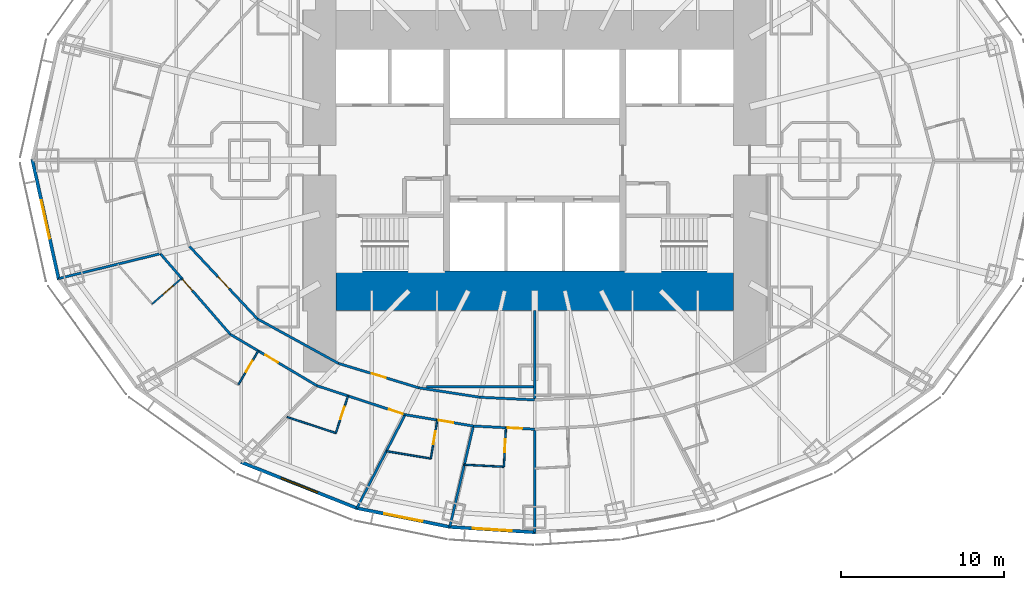
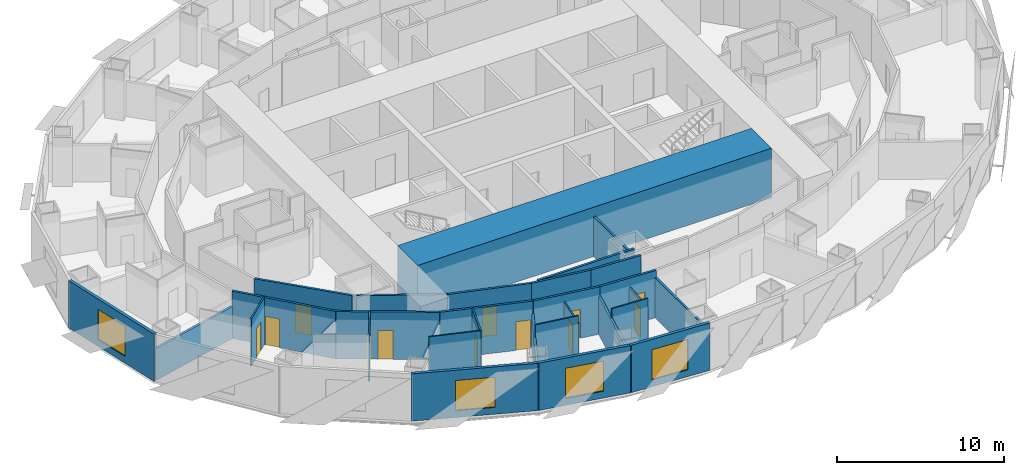
# One storey, part 5 of 15: 29 walls, 12 doors, 4 windows, 16 openings.
"""IFC4 building model written with IfcOpenShell, lengths in metres."""

from ifc_helpers import new_model, si_unit, direction, frame, frame_2d, origin, place, context, subcontext, project, spatial, rectangle, extrude, material, layer, layer_set, type_object, element, fill, save


model = new_model("IFC4")

# Units and contexts
model_context = context("Model", 3, precision=1e-05, world=origin(), true_north=direction((0.0, 1.0)))
body_context = subcontext(model_context, "Body", "Model", "MODEL_VIEW")
ifc_project = project(units=[si_unit("LENGTHUNIT", "METRE"), si_unit("AREAUNIT", "SQUARE_METRE"), si_unit("VOLUMEUNIT", "CUBIC_METRE"), si_unit("PLANEANGLEUNIT", "RADIAN"), si_unit("MASSUNIT", "GRAM", prefix="KILO")], contexts=[model_context])

# Site, building, storey
site_placement = place(None, origin())
site = spatial("IfcSite", under=ifc_project, at=site_placement, CompositionType="ELEMENT")
building_placement = place(site_placement, origin())
building = spatial("IfcBuilding", under=site, at=building_placement, Name="Lantaw Convention Tower", CompositionType="ELEMENT")
storey_placement = place(building_placement, frame((0.0, 0.0, 62.199951171875)))
storey = spatial("IfcBuildingStorey", under=building, at=storey_placement, Name="L13", CompositionType="ELEMENT", Elevation=62.199951171875)

# Walls
ifc_material_1 = material(Name="Gypsum board on steel studs", Category="steel")
ifc_layer_1 = layer(ifc_material_1, 0.14990234375)
ifc_layer_set_1 = layer_set([ifc_layer_1], Name="Back of house wall 150")
wall_type_1 = type_object("IfcWallType", Name="Back of house wall 150", PredefinedType="PARTITIONING", material=ifc_layer_set_1)
wall_1_placement = place(storey_placement, frame((0.0, -9.199951171875, 0.0), z_axis=(0.0, 0.0, 1.0), x_axis=(0.0, -1.0, 0.0)))
element("IfcWall", 1, at=wall_1_placement, inside=storey, type_object=wall_type_1, Name="Back of house wall 150", PredefinedType="PARTITIONING", context=body_context, shape_type="SweptSolid", body=[
    extrude(rectangle(XDim=5.5, YDim=0.14990234375, at=frame_2d((2.75, 0.0))), origin(), (0.0, 0.0, 1.0), 2.92431640625),
])
wall_2_placement = place(storey_placement, frame((-6.646728515625, -13.89990234375, 0.0), z_axis=(0.0, 0.0, 1.0), x_axis=(1.0, 0.0, 0.0)))
element("IfcWall", 2, at=wall_2_placement, inside=storey, type_object=wall_type_1, Name="Back of house wall 150", PredefinedType="PARTITIONING", context=body_context, shape_type="SweptSolid", body=[
    extrude(rectangle(XDim=6.646728515625, YDim=0.14990234375, at=frame_2d((3.3232421875, 0.0))), origin(), (0.0, 0.0, 1.0), 3.449951171875),
])

# Wall, opening, door
ifc_material_2 = material(Name="Moisture resistant gypsum board on steel studs", Category="steel")
ifc_layer_2 = layer(ifc_material_2, 0.10009765625)
ifc_layer_set_2 = layer_set([ifc_layer_2], Name="Bathroom wall 100")
wall_type_2 = type_object("IfcWallType", Name="Bathroom wall 100", PredefinedType="PARTITIONING", material=ifc_layer_set_2)
wall_3_placement = place(storey_placement, frame((-21.664794921875, -7.23876953125, 0.0), z_axis=(0.0, 0.0, 1.0), x_axis=(-0.755098052661, -0.655611875172, 0.0)))
wall_3 = element("IfcWall", 3, at=wall_3_placement, inside=storey, type_object=wall_type_2, Name="Bathroom wall 100", PredefinedType="PARTITIONING", context=body_context, shape_type="SweptSolid", body=[
    extrude(rectangle(XDim=2.400146484375, YDim=0.10009765625, at=frame_2d((1.2001953125, 0.0))), origin(), (0.0, 0.0, 1.0), 3.449951171875),
])
opening_1_placement = place(wall_3_placement, frame((0.699951171875, 0.0, 0.0)))
opening_1 = element("IfcOpeningElement", 4, at=opening_1_placement, cuts=wall_3, Name="Opening L13.45", PredefinedType="OPENING", context=body_context, shape_type="SweptSolid", body=[
    extrude(rectangle(XDim=0.800048828125, YDim=2.10009765625, at=frame_2d((0.39990234375, 1.050048828125))), frame((0.0, 0.06005859375, 0.0), z_axis=(0.0, -1.0, 0.0), x_axis=(1.0, 0.0, 0.0)), (0.0, 0.0, 1.0), 0.1201171875),
])
ifc_material_3 = material(Name="Timber", Category="wood")
door_type_1 = type_object("IfcDoorType", Name="Bathroom door 800", OperationType="SINGLE_SWING_LEFT", PredefinedType="DOOR", material=ifc_material_3)
door_1_placement = place(opening_1_placement, origin())
door_1 = element("IfcDoor", 5, at=door_1_placement, inside=storey, type_object=door_type_1, Name="Bathroom door", OperationType="SINGLE_SWING_LEFT", OverallHeight=2.10009765625, OverallWidth=0.800048828125, PredefinedType="DOOR", context=body_context, shape_type="SweptSolid", body=[
    extrude(rectangle(XDim=0.800048828125, YDim=2.10009765625, at=frame_2d((0.39990234375, 1.050048828125))), frame((0.0, 0.02490234375, 0.0), z_axis=(0.0, -1.0, 0.0), x_axis=(1.0, 0.0, 0.0)), (0.0, 0.0, 1.0), 0.050048828125),
])
fill(opening_1, door_1)

wall_4_placement = place(storey_placement, frame((-16.961181640625, -11.6953125, 0.0), z_axis=(0.0, 0.0, 1.0), x_axis=(-0.510075642074, -0.860129548012, 0.0)))
wall_4 = element("IfcWall", 6, at=wall_4_placement, inside=storey, type_object=wall_type_2, Name="Bathroom wall 100", PredefinedType="PARTITIONING", context=body_context, shape_type="SweptSolid", body=[
    extrude(rectangle(XDim=2.39990234375, YDim=0.10009765625, at=frame_2d((1.199951171875, 0.0))), origin(), (0.0, 0.0, 1.0), 3.449951171875),
])
opening_2_placement = place(wall_4_placement, frame((0.699951171875, 0.0, 0.0)))
opening_2 = element("IfcOpeningElement", 7, at=opening_2_placement, cuts=wall_4, Name="Opening L13.47", PredefinedType="OPENING", context=body_context, shape_type="SweptSolid", body=[
    extrude(rectangle(XDim=0.800048828125, YDim=2.10009765625, at=frame_2d((0.39990234375, 1.050048828125))), frame((0.0, 0.06005859375, 0.0), z_axis=(0.0, -1.0, 0.0), x_axis=(1.0, 0.0, 0.0)), (0.0, 0.0, 1.0), 0.1201171875),
])
door_2_placement = place(opening_2_placement, origin())
door_2 = element("IfcDoor", 8, at=door_2_placement, inside=storey, type_object=door_type_1, Name="Bathroom door", OperationType="SINGLE_SWING_LEFT", OverallHeight=2.10009765625, OverallWidth=0.800048828125, PredefinedType="DOOR", context=body_context, shape_type="SweptSolid", body=[
    extrude(rectangle(XDim=0.800048828125, YDim=2.10009765625, at=frame_2d((0.39990234375, 1.050048828125))), frame((0.0, 0.02490234375, 0.0), z_axis=(0.0, -1.0, 0.0), x_axis=(1.0, 0.0, 0.0)), (0.0, 0.0, 1.0), 0.050048828125),
])
fill(opening_2, door_2)

wall_5_placement = place(storey_placement, frame((-11.457275390625, -14.455810546875, 0.0), z_axis=(0.0, 0.0, 1.0), x_axis=(-0.311890952591, -0.950117905153, 0.0)))
wall_5 = element("IfcWall", 9, at=wall_5_placement, inside=storey, type_object=wall_type_2, Name="Bathroom wall 100", PredefinedType="PARTITIONING", context=body_context, shape_type="SweptSolid", body=[
    extrude(rectangle(XDim=2.39990234375, YDim=0.10009765625, at=frame_2d((1.199951171875, 0.0))), origin(), (0.0, 0.0, 1.0), 3.449951171875),
])
opening_3_placement = place(wall_5_placement, frame((0.699951171875, 0.0, 0.0)))
opening_3 = element("IfcOpeningElement", 10, at=opening_3_placement, cuts=wall_5, Name="Opening L13.49", PredefinedType="OPENING", context=body_context, shape_type="SweptSolid", body=[
    extrude(rectangle(XDim=0.800048828125, YDim=2.10009765625, at=frame_2d((0.39990234375, 1.050048828125))), frame((0.0, 0.06005859375, 0.0), z_axis=(0.0, -1.0, 0.0), x_axis=(1.0, 0.0, 0.0)), (0.0, 0.0, 1.0), 0.1201171875),
])
door_3_placement = place(opening_3_placement, origin())
door_3 = element("IfcDoor", 11, at=door_3_placement, inside=storey, type_object=door_type_1, Name="Bathroom door", OperationType="SINGLE_SWING_LEFT", OverallHeight=2.10009765625, OverallWidth=0.800048828125, PredefinedType="DOOR", context=body_context, shape_type="SweptSolid", body=[
    extrude(rectangle(XDim=0.800048828125, YDim=2.10009765625, at=frame_2d((0.39990234375, 1.050048828125))), frame((0.0, 0.02490234375, 0.0), z_axis=(0.0, -1.0, 0.0), x_axis=(1.0, 0.0, 0.0)), (0.0, 0.0, 1.0), 0.050048828125),
])
fill(opening_3, door_3)

# Wall
wall_6_placement = place(storey_placement, frame((-12.205810546875, -16.736083984375, 0.0), z_axis=(0.0, 0.0, 1.0), x_axis=(-0.950109912386, 0.311915300018, 0.0)))
element("IfcWall", 12, at=wall_6_placement, inside=storey, type_object=wall_type_2, Name="Bathroom wall 100", PredefinedType="PARTITIONING", context=body_context, shape_type="SweptSolid", body=[
    extrude(rectangle(XDim=3.161376953125, YDim=0.10009765625, at=frame_2d((1.58056640625, 0.0))), origin(), (0.0, 0.0, 1.0), 3.449951171875),
])

# Wall, opening, door
wall_7_placement = place(storey_placement, frame((-5.979248046875, -15.935302734375, 0.0), z_axis=(0.0, 0.0, 1.0), x_axis=(-0.164283516215, -0.986413162067, 0.0)))
wall_7 = element("IfcWall", 13, at=wall_7_placement, inside=storey, type_object=wall_type_2, Name="Bathroom wall 100", PredefinedType="PARTITIONING", context=body_context, shape_type="SweptSolid", body=[
    extrude(rectangle(XDim=2.400146484375, YDim=0.10009765625, at=frame_2d((1.2001953125, 0.0))), origin(), (0.0, 0.0, 1.0), 2.9140625),
])
opening_4_placement = place(wall_7_placement, frame((0.699951171875, 0.0, 0.0)))
opening_4 = element("IfcOpeningElement", 14, at=opening_4_placement, cuts=wall_7, Name="Opening L13.51", PredefinedType="OPENING", context=body_context, shape_type="SweptSolid", body=[
    extrude(rectangle(XDim=0.800048828125, YDim=2.10009765625, at=frame_2d((0.39990234375, 1.050048828125))), frame((0.0, 0.06005859375, 0.0), z_axis=(0.0, -1.0, 0.0), x_axis=(1.0, 0.0, 0.0)), (0.0, 0.0, 1.0), 0.1201171875),
])
door_4_placement = place(opening_4_placement, origin())
door_4 = element("IfcDoor", 15, at=door_4_placement, inside=storey, type_object=door_type_1, Name="Bathroom door", OperationType="SINGLE_SWING_LEFT", OverallHeight=2.10009765625, OverallWidth=0.800048828125, PredefinedType="DOOR", context=body_context, shape_type="SweptSolid", body=[
    extrude(rectangle(XDim=0.800048828125, YDim=2.10009765625, at=frame_2d((0.39990234375, 1.050048828125))), frame((0.0, 0.02490234375, 0.0), z_axis=(0.0, -1.0, 0.0), x_axis=(1.0, 0.0, 0.0)), (0.0, 0.0, 1.0), 0.050048828125),
])
fill(opening_4, door_4)

# Wall
wall_8_placement = place(storey_placement, frame((-6.37353515625, -18.302734375, 0.0), z_axis=(0.0, 0.0, 1.0), x_axis=(-0.98640348956, 0.164341582641, 0.0)))
element("IfcWall", 16, at=wall_8_placement, inside=storey, type_object=wall_type_2, Name="Bathroom wall 100", PredefinedType="PARTITIONING", context=body_context, shape_type="SweptSolid", body=[
    extrude(rectangle(XDim=2.7587890625, YDim=0.10009765625, at=frame_2d((1.37939453125, 0.0))), origin(), (0.0, 0.0, 1.0), 3.449951171875),
])

# Wall, opening, door
wall_9_placement = place(storey_placement, frame((-1.766845703125, -16.407958984375, 0.0), z_axis=(0.0, 0.0, 1.0), x_axis=(-0.051982187452, -0.998648012158, 0.0)))
wall_9 = element("IfcWall", 17, at=wall_9_placement, inside=storey, type_object=wall_type_2, Name="Bathroom wall 100", PredefinedType="PARTITIONING", context=body_context, shape_type="SweptSolid", body=[
    extrude(rectangle(XDim=2.39990234375, YDim=0.10009765625, at=frame_2d((1.199951171875, 0.0))), origin(), (0.0, 0.0, 1.0), 2.7490234375),
])
opening_5_placement = place(wall_9_placement, frame((0.699951171875, 0.0, 0.0)))
opening_5 = element("IfcOpeningElement", 18, at=opening_5_placement, cuts=wall_9, Name="Opening L13.53", PredefinedType="OPENING", context=body_context, shape_type="SweptSolid", body=[
    extrude(rectangle(XDim=0.800048828125, YDim=2.10009765625, at=frame_2d((0.39990234375, 1.050048828125))), frame((0.0, 0.06005859375, 0.0), z_axis=(0.0, -1.0, 0.0), x_axis=(1.0, 0.0, 0.0)), (0.0, 0.0, 1.0), 0.1201171875),
])
door_5_placement = place(opening_5_placement, origin())
door_5 = element("IfcDoor", 19, at=door_5_placement, inside=storey, type_object=door_type_1, Name="Bathroom door", OperationType="SINGLE_SWING_LEFT", OverallHeight=2.10009765625, OverallWidth=0.800048828125, PredefinedType="DOOR", context=body_context, shape_type="SweptSolid", body=[
    extrude(rectangle(XDim=0.800048828125, YDim=2.10009765625, at=frame_2d((0.39990234375, 1.050048828125))), frame((0.0, 0.02490234375, 0.0), z_axis=(0.0, -1.0, 0.0), x_axis=(1.0, 0.0, 0.0)), (0.0, 0.0, 1.0), 0.050048828125),
])
fill(opening_5, door_5)

# Walls
wall_10_placement = place(storey_placement, frame((-1.8916015625, -18.8046875, 0.0), z_axis=(0.0, 0.0, 1.0), x_axis=(-0.998648540987, 0.051972026944, 0.0)))
element("IfcWall", 20, at=wall_10_placement, inside=storey, type_object=wall_type_2, Name="Bathroom wall 100", PredefinedType="PARTITIONING", context=body_context, shape_type="SweptSolid", body=[
    extrude(rectangle(XDim=2.423828125, YDim=0.10009765625, at=frame_2d((1.2119140625, 0.0))), origin(), (0.0, 0.0, 1.0), 3.449951171875),
])
ifc_material_4 = material(Name="Concrete C60/75", Category="concrete")
ifc_layer_3 = layer(ifc_material_4, 2.39990234375)
ifc_layer_set_3 = layer_set([ifc_layer_3], Name="Core wall 2400")
wall_type_3 = type_object("IfcWallType", Name="Core wall 2400", PredefinedType="SHEAR", material=ifc_layer_set_3)
wall_11_placement = place(storey_placement, frame((-12.199951171875, -8.0, 0.0), z_axis=(0.0, 0.0, 1.0), x_axis=(1.0, 0.0, 0.0)))
element("IfcWall", 21, at=wall_11_placement, inside=storey, type_object=wall_type_3, Name="Core wall S", PredefinedType="SHEAR", context=body_context, shape_type="SweptSolid", body=[
    extrude(rectangle(XDim=24.39990234375, YDim=2.39990234375, at=frame_2d((12.199951171875, 0.0))), origin(), (0.0, 0.0, 1.0), 3.60009765625),
])

# Wall, opening, door
ifc_material_5 = material(Name="Gypsum board on steel studs, fire rated", Category="steel")
ifc_layer_4 = layer(ifc_material_5, 0.14990234375)
ifc_layer_set_4 = layer_set([ifc_layer_4], Name="Corridor wall 150 EI 60")
wall_type_4 = type_object("IfcWallType", Name="Corridor wall 150 EI 60", PredefinedType="PARTITIONING", material=ifc_layer_set_4)
wall_12_placement = place(storey_placement, frame((-22.97607421875, -5.728515625, 0.0), z_axis=(0.0, 0.0, 1.0), x_axis=(0.655599989166, -0.755108372491, 0.0)))
wall_12 = element("IfcWall", 22, at=wall_12_placement, inside=storey, type_object=wall_type_4, Name="Corridor wall 150", PredefinedType="PARTITIONING", context=body_context, shape_type="SweptSolid", body=[
    extrude(rectangle(XDim=6.55078125, YDim=0.14990234375, at=frame_2d((3.275390625, 0.0))), origin(), (0.0, 0.0, 1.0), 3.449951171875),
])
opening_6_placement = place(wall_12_placement, frame((2.10009765625, 0.0, 0.0)))
opening_6 = element("IfcOpeningElement", 23, at=opening_6_placement, cuts=wall_12, Name="Opening L13.46", PredefinedType="OPENING", context=body_context, shape_type="SweptSolid", body=[
    extrude(rectangle(XDim=0.89990234375, YDim=2.10009765625, at=frame_2d((0.449951171875, 1.050048828125))), frame((0.0, 0.0849609375, 0.0), z_axis=(0.0, -1.0, 0.0), x_axis=(1.0, 0.0, 0.0)), (0.0, 0.0, 1.0), 0.169921875),
])
ifc_material_6 = material(Name="Steel, fire rated", Category="steel")
door_type_2 = type_object("IfcDoorType", Name="Guest room entrance door FD30S", OperationType="SINGLE_SWING_LEFT", PredefinedType="DOOR", material=ifc_material_6)
door_6_placement = place(opening_6_placement, origin())
door_6 = element("IfcDoor", 24, at=door_6_placement, inside=storey, type_object=door_type_2, Name="Guest room entrance door", OperationType="SINGLE_SWING_LEFT", OverallHeight=2.10009765625, OverallWidth=0.89990234375, PredefinedType="DOOR", context=body_context, shape_type="SweptSolid", body=[
    extrude(rectangle(XDim=0.89990234375, YDim=2.10009765625, at=frame_2d((0.449951171875, 1.050048828125))), frame((0.0, 0.02490234375, 0.0), z_axis=(0.0, -1.0, 0.0), x_axis=(1.0, 0.0, 0.0)), (0.0, 0.0, 1.0), 0.050048828125),
])
fill(opening_6, door_6)

wall_13_placement = place(storey_placement, frame((-18.681396484375, -10.675048828125, 0.0), z_axis=(0.0, 0.0, 1.0), x_axis=(0.860147339762, -0.510045639036, 0.0)))
wall_13 = element("IfcWall", 25, at=wall_13_placement, inside=storey, type_object=wall_type_4, Name="Corridor wall 150", PredefinedType="PARTITIONING", context=body_context, shape_type="SweptSolid", body=[
    extrude(rectangle(XDim=6.189697265625, YDim=0.14990234375, at=frame_2d((3.0947265625, 0.0))), origin(), (0.0, 0.0, 1.0), 3.449951171875),
])
opening_7_placement = place(wall_13_placement, frame((2.50537109375, 0.0, 0.0)))
opening_7 = element("IfcOpeningElement", 26, at=opening_7_placement, cuts=wall_13, Name="Opening L13.48", PredefinedType="OPENING", context=body_context, shape_type="SweptSolid", body=[
    extrude(rectangle(XDim=0.89990234375, YDim=2.10009765625, at=frame_2d((0.449951171875, 1.050048828125))), frame((0.0, 0.0849609375, 0.0), z_axis=(0.0, -1.0, 0.0), x_axis=(1.0, 0.0, 0.0)), (0.0, 0.0, 1.0), 0.169921875),
])
door_7_placement = place(opening_7_placement, origin())
door_7 = element("IfcDoor", 27, at=door_7_placement, inside=storey, type_object=door_type_2, Name="Guest room entrance door", OperationType="SINGLE_SWING_LEFT", OverallHeight=2.10009765625, OverallWidth=0.89990234375, PredefinedType="DOOR", context=body_context, shape_type="SweptSolid", body=[
    extrude(rectangle(XDim=0.89990234375, YDim=2.10009765625, at=frame_2d((0.449951171875, 1.050048828125))), frame((0.0, 0.02490234375, 0.0), z_axis=(0.0, -1.0, 0.0), x_axis=(1.0, 0.0, 0.0)), (0.0, 0.0, 1.0), 0.050048828125),
])
fill(opening_7, door_7)

wall_14_placement = place(storey_placement, frame((-13.357421875, -13.83203125, 0.0), z_axis=(0.0, 0.0, 1.0), x_axis=(0.950106803111, -0.311924770869, 0.0)))
wall_14 = element("IfcWall", 28, at=wall_14_placement, inside=storey, type_object=wall_type_4, Name="Corridor wall 150", PredefinedType="PARTITIONING", context=body_context, shape_type="SweptSolid", body=[
    extrude(rectangle(XDim=5.689453125, YDim=0.14990234375, at=frame_2d((2.8447265625, 0.0))), origin(), (0.0, 0.0, 1.0), 3.449951171875),
])
opening_8_placement = place(wall_14_placement, frame((4.639404296875, 0.0, 0.0)))
opening_8 = element("IfcOpeningElement", 29, at=opening_8_placement, cuts=wall_14, Name="Opening L13.50", PredefinedType="OPENING", context=body_context, shape_type="SweptSolid", body=[
    extrude(rectangle(XDim=0.89990234375, YDim=2.10009765625, at=frame_2d((0.449951171875, 1.050048828125))), frame((0.0, 0.0849609375, 0.0), z_axis=(0.0, -1.0, 0.0), x_axis=(1.0, 0.0, 0.0)), (0.0, 0.0, 1.0), 0.169921875),
])
door_8_placement = place(opening_8_placement, origin())
door_8 = element("IfcDoor", 30, at=door_8_placement, inside=storey, type_object=door_type_2, Name="Guest room entrance door", OperationType="SINGLE_SWING_LEFT", OverallHeight=2.10009765625, OverallWidth=0.89990234375, PredefinedType="DOOR", context=body_context, shape_type="SweptSolid", body=[
    extrude(rectangle(XDim=0.89990234375, YDim=2.10009765625, at=frame_2d((0.449951171875, 1.050048828125))), frame((0.0, 0.02490234375, 0.0), z_axis=(0.0, -1.0, 0.0), x_axis=(1.0, 0.0, 0.0)), (0.0, 0.0, 1.0), 0.050048828125),
])
fill(opening_8, door_8)

wall_15_placement = place(storey_placement, frame((-7.951904296875, -15.606689453125, 0.0), z_axis=(0.0, 0.0, 1.0), x_axis=(0.98641101506, -0.164296407044, 0.0)))
wall_15 = element("IfcWall", 31, at=wall_15_placement, inside=storey, type_object=wall_type_4, Name="Corridor wall 150", PredefinedType="PARTITIONING", context=body_context, shape_type="SweptSolid", body=[
    extrude(rectangle(XDim=4.245361328125, YDim=0.14990234375, at=frame_2d((2.12255859375, 0.0))), origin(), (0.0, 0.0, 1.0), 3.449951171875),
])
opening_9_placement = place(wall_15_placement, frame((2.10009765625, 0.0, 0.0)))
opening_9 = element("IfcOpeningElement", 32, at=opening_9_placement, cuts=wall_15, Name="Opening L13.52", PredefinedType="OPENING", context=body_context, shape_type="SweptSolid", body=[
    extrude(rectangle(XDim=0.89990234375, YDim=2.10009765625, at=frame_2d((0.449951171875, 1.050048828125))), frame((0.0, 0.0849609375, 0.0), z_axis=(0.0, -1.0, 0.0), x_axis=(1.0, 0.0, 0.0)), (0.0, 0.0, 1.0), 0.169921875),
])
door_9_placement = place(opening_9_placement, origin())
door_9 = element("IfcDoor", 33, at=door_9_placement, inside=storey, type_object=door_type_2, Name="Guest room entrance door", OperationType="SINGLE_SWING_LEFT", OverallHeight=2.10009765625, OverallWidth=0.89990234375, PredefinedType="DOOR", context=body_context, shape_type="SweptSolid", body=[
    extrude(rectangle(XDim=0.89990234375, YDim=2.10009765625, at=frame_2d((0.449951171875, 1.050048828125))), frame((0.0, 0.02490234375, 0.0), z_axis=(0.0, -1.0, 0.0), x_axis=(1.0, 0.0, 0.0)), (0.0, 0.0, 1.0), 0.050048828125),
])
fill(opening_9, door_9)

wall_16_placement = place(storey_placement, frame((-3.76416015625, -16.30419921875, 0.0), z_axis=(0.0, 0.0, 1.0), x_axis=(0.998649848759, -0.05194689186, 0.0)))
wall_16 = element("IfcWall", 34, at=wall_16_placement, inside=storey, type_object=wall_type_4, Name="Corridor wall 150", PredefinedType="PARTITIONING", context=body_context, shape_type="SweptSolid", body=[
    extrude(rectangle(XDim=3.769287109375, YDim=0.14990234375, at=frame_2d((1.884765625, 0.0))), origin(), (0.0, 0.0, 1.0), 3.449951171875),
])
opening_10_placement = place(wall_16_placement, frame((2.10009765625, 0.0, 0.0)))
opening_10 = element("IfcOpeningElement", 35, at=opening_10_placement, cuts=wall_16, Name="Opening L13.54", PredefinedType="OPENING", context=body_context, shape_type="SweptSolid", body=[
    extrude(rectangle(XDim=0.89990234375, YDim=2.10009765625, at=frame_2d((0.449951171875, 1.050048828125))), frame((0.0, 0.0849609375, 0.0), z_axis=(0.0, -1.0, 0.0), x_axis=(1.0, 0.0, 0.0)), (0.0, 0.0, 1.0), 0.169921875),
])
door_10_placement = place(opening_10_placement, origin())
door_10 = element("IfcDoor", 36, at=door_10_placement, inside=storey, type_object=door_type_2, Name="Guest room entrance door", OperationType="SINGLE_SWING_LEFT", OverallHeight=2.10009765625, OverallWidth=0.89990234375, PredefinedType="DOOR", context=body_context, shape_type="SweptSolid", body=[
    extrude(rectangle(XDim=0.89990234375, YDim=2.10009765625, at=frame_2d((0.449951171875, 1.050048828125))), frame((0.0, 0.02490234375, 0.0), z_axis=(0.0, -1.0, 0.0), x_axis=(1.0, 0.0, 0.0)), (0.0, 0.0, 1.0), 0.050048828125),
])
fill(opening_10, door_10)

wall_17_placement = place(storey_placement, frame((-21.18408203125, -5.28173828125, 0.0), z_axis=(0.0, 0.0, 1.0), x_axis=(0.68365836236, -0.729802194828, 0.0)))
wall_17 = element("IfcWall", 37, at=wall_17_placement, inside=storey, type_object=wall_type_4, Name="Corridor wall 150", PredefinedType="PARTITIONING", context=body_context, shape_type="SweptSolid", body=[
    extrude(rectangle(XDim=6.08984375, YDim=0.14990234375, at=frame_2d((3.044921875, 0.0))), origin(), (0.0, 0.0, 1.0), 3.449951171875),
])
opening_11_placement = place(wall_17_placement, frame((2.544921875, 0.0, 0.0)))
opening_11 = element("IfcOpeningElement", 38, at=opening_11_placement, cuts=wall_17, Name="Opening L13.22", PredefinedType="OPENING", context=body_context, shape_type="SweptSolid", body=[
    extrude(rectangle(XDim=1.0, YDim=2.10009765625, at=frame_2d((0.5, 1.050048828125))), frame((0.0, 0.0849609375, 0.0), z_axis=(0.0, -1.0, 0.0), x_axis=(1.0, 0.0, 0.0)), (0.0, 0.0, 1.0), 0.169921875),
])
door_type_3 = type_object("IfcDoorType", Name="Service door 1000 FD30", OperationType="SINGLE_SWING_LEFT", PredefinedType="DOOR", material=ifc_material_6)
door_11_placement = place(opening_11_placement, origin())
door_11 = element("IfcDoor", 39, at=door_11_placement, inside=storey, type_object=door_type_3, Name="Staff room door", OperationType="SINGLE_SWING_LEFT", OverallHeight=2.10009765625, OverallWidth=1.0, PredefinedType="DOOR", context=body_context, shape_type="SweptSolid", body=[
    extrude(rectangle(XDim=1.0, YDim=2.10009765625, at=frame_2d((0.5, 1.050048828125))), frame((0.0, 0.02490234375, 0.0), z_axis=(0.0, -1.0, 0.0), x_axis=(1.0, 0.0, 0.0)), (0.0, 0.0, 1.0), 0.050048828125),
])
fill(opening_11, door_11)

# Wall
wall_18_placement = place(storey_placement, frame((-17.020751953125, -9.72607421875, 0.0), z_axis=(0.0, 0.0, 1.0), x_axis=(0.876522084062, -0.481361647986, 0.0)))
element("IfcWall", 40, at=wall_18_placement, inside=storey, type_object=wall_type_4, Name="Corridor wall 150", PredefinedType="PARTITIONING", context=body_context, shape_type="SweptSolid", body=[
    extrude(rectangle(XDim=5.68701171875, YDim=0.14990234375, at=frame_2d((2.843505859375, 0.0))), origin(), (0.0, 0.0, 1.0), 3.449951171875),
])

# Wall, opening, door
wall_19_placement = place(storey_placement, frame((-12.035888671875, -12.463623046875, 0.0), z_axis=(0.0, 0.0, 1.0), x_axis=(0.956795045135, -0.290763205385, 0.0)))
wall_19 = element("IfcWall", 41, at=wall_19_placement, inside=storey, type_object=wall_type_4, Name="Corridor wall 150", PredefinedType="PARTITIONING", context=body_context, shape_type="SweptSolid", body=[
    extrude(rectangle(XDim=5.1455078125, YDim=0.14990234375, at=frame_2d((2.57275390625, 0.0))), origin(), (0.0, 0.0, 1.0), 3.449951171875),
])
opening_12_placement = place(wall_19_placement, frame((2.122802734375, 0.0, 0.0)))
opening_12 = element("IfcOpeningElement", 42, at=opening_12_placement, cuts=wall_19, Name="Opening L13.21", PredefinedType="OPENING", context=body_context, shape_type="SweptSolid", body=[
    extrude(rectangle(XDim=0.89990234375, YDim=2.10009765625, at=frame_2d((0.449951171875, 1.050048828125))), frame((0.0, 0.0849609375, 0.0), z_axis=(0.0, -1.0, 0.0), x_axis=(1.0, 0.0, 0.0)), (0.0, 0.0, 1.0), 0.169921875),
])
door_type_4 = type_object("IfcDoorType", Name="Service door 900 FD30", OperationType="SINGLE_SWING_LEFT", PredefinedType="DOOR", material=ifc_material_6)
door_12_placement = place(opening_12_placement, origin())
door_12 = element("IfcDoor", 43, at=door_12_placement, inside=storey, type_object=door_type_4, Name="Staff locker room door", OperationType="SINGLE_SWING_LEFT", OverallHeight=2.10009765625, OverallWidth=0.89990234375, PredefinedType="DOOR", context=body_context, shape_type="SweptSolid", body=[
    extrude(rectangle(XDim=0.89990234375, YDim=2.10009765625, at=frame_2d((0.449951171875, 1.050048828125))), frame((0.0, 0.02490234375, 0.0), z_axis=(0.0, -1.0, 0.0), x_axis=(1.0, 0.0, 0.0)), (0.0, 0.0, 1.0), 0.050048828125),
])
fill(opening_12, door_12)

# Walls
wall_20_placement = place(storey_placement, frame((-7.11279296875, -13.959716796875, 0.0), z_axis=(0.0, 0.0, 1.0), x_axis=(0.988343461108, -0.152240608529, 0.0)))
element("IfcWall", 44, at=wall_20_placement, inside=storey, type_object=wall_type_4, Name="Corridor wall 150", PredefinedType="PARTITIONING", context=body_context, shape_type="SweptSolid", body=[
    extrude(rectangle(XDim=3.800537109375, YDim=0.14990234375, at=frame_2d((1.900390625, 0.0))), origin(), (0.0, 0.0, 1.0), 3.449951171875),
])
wall_21_placement = place(storey_placement, frame((-3.3564453125, -14.538330078125, 0.0), z_axis=(0.0, 0.0, 1.0), x_axis=(0.998842682549, -0.048096730859, 0.0)))
element("IfcWall", 45, at=wall_21_placement, inside=storey, type_object=wall_type_4, Name="Corridor wall 150", PredefinedType="PARTITIONING", context=body_context, shape_type="SweptSolid", body=[
    extrude(rectangle(XDim=3.3603515625, YDim=0.14990234375, at=frame_2d((1.68017578125, 0.0))), origin(), (0.0, 0.0, 1.0), 3.449951171875),
])

# Wall, opening, window
ifc_material_7 = material(Name="Insulated aluminium panel on steel frame", Category="steel")
ifc_layer_5 = layer(ifc_material_7, 0.199951171875)
ifc_layer_set_5 = layer_set([ifc_layer_5], Name="External wall 200")
wall_type_5 = type_object("IfcWallType", Name="External wall 200", PredefinedType="SOLIDWALL", material=ifc_layer_set_5)
wall_22_placement = place(storey_placement, frame((-30.83544921875, 0.06689453125, 0.0), z_axis=(0.0, 0.0, 1.0), x_axis=(0.215238065514, -0.976561608478, 0.0)))
wall_22 = element("IfcWall", 46, at=wall_22_placement, inside=storey, type_object=wall_type_5, Name="Facade panel wall", PredefinedType="SOLIDWALL", context=body_context, shape_type="SweptSolid", body=[
    extrude(rectangle(XDim=7.562255859375, YDim=0.199951171875, at=frame_2d((3.78125, 0.0))), origin(), (0.0, 0.0, 1.0), 3.449951171875),
])
opening_13_placement = place(wall_22_placement, frame((2.581298828125, 0.0, 0.5)))
opening_13 = element("IfcOpeningElement", 47, at=opening_13_placement, cuts=wall_22, Name="Opening W1", PredefinedType="OPENING", context=body_context, shape_type="SweptSolid", body=[
    extrude(rectangle(XDim=2.39990234375, YDim=2.199951171875, at=frame_2d((1.199951171875, 1.10009765625))), frame((0.0, 0.10986328125, 0.0), z_axis=(0.0, -1.0, 0.0), x_axis=(1.0, 0.0, 0.0)), (0.0, 0.0, 1.0), 0.219970703125),
])
ifc_material_8 = material(Name="Aluminium frame, clear insulating glass", Category="aluminium")
window_type = type_object("IfcWindowType", Name="Guest room window 2400x2200", PartitioningType="SINGLE_PANEL", PredefinedType="WINDOW", material=ifc_material_8)
window_1_placement = place(opening_13_placement, origin())
window_1 = element("IfcWindow", 48, at=window_1_placement, inside=storey, type_object=window_type, Name="Guest room window", OverallHeight=2.199951171875, OverallWidth=2.39990234375, PartitioningType="SINGLE_PANEL", PredefinedType="WINDOW", context=body_context, shape_type="SweptSolid", body=[
    extrude(rectangle(XDim=2.39990234375, YDim=2.199951171875, at=frame_2d((1.199951171875, 1.10009765625))), frame((0.0, 0.030029296875, 0.0), z_axis=(0.0, -1.0, 0.0), x_axis=(1.0, 0.0, 0.0)), (0.0, 0.0, 1.0), 0.06005859375),
])
fill(opening_13, window_1)

wall_23_placement = place(storey_placement, frame((-18.018310546875, -18.522705078125, 0.0), z_axis=(0.0, 0.0, 1.0), x_axis=(0.929358351251, -0.369178892895, 0.0)))
wall_23 = element("IfcWall", 49, at=wall_23_placement, inside=storey, type_object=wall_type_5, Name="Facade panel wall", PredefinedType="SOLIDWALL", context=body_context, shape_type="SweptSolid", body=[
    extrude(rectangle(XDim=7.6923828125, YDim=0.199951171875, at=frame_2d((3.84619140625, 0.0))), origin(), (0.0, 0.0, 1.0), 3.449951171875),
])
opening_14_placement = place(wall_23_placement, frame((2.64599609375, 0.0, 0.5)))
opening_14 = element("IfcOpeningElement", 50, at=opening_14_placement, cuts=wall_23, Name="Opening W1", PredefinedType="OPENING", context=body_context, shape_type="SweptSolid", body=[
    extrude(rectangle(XDim=2.39990234375, YDim=2.199951171875, at=frame_2d((1.199951171875, 1.10009765625))), frame((0.0, 0.10986328125, 0.0), z_axis=(0.0, -1.0, 0.0), x_axis=(1.0, 0.0, 0.0)), (0.0, 0.0, 1.0), 0.219970703125),
])
window_2_placement = place(opening_14_placement, origin())
window_2 = element("IfcWindow", 51, at=window_2_placement, inside=storey, type_object=window_type, Name="Guest room window", OverallHeight=2.199951171875, OverallWidth=2.39990234375, PartitioningType="SINGLE_PANEL", PredefinedType="WINDOW", context=body_context, shape_type="SweptSolid", body=[
    extrude(rectangle(XDim=2.39990234375, YDim=2.199951171875, at=frame_2d((1.199951171875, 1.10009765625))), frame((0.0, 0.030029296875, 0.0), z_axis=(0.0, -1.0, 0.0), x_axis=(1.0, 0.0, 0.0)), (0.0, 0.0, 1.0), 0.06005859375),
])
fill(opening_14, window_2)

wall_24_placement = place(storey_placement, frame((-10.956787109375, -21.336669921875, 0.0), z_axis=(0.0, 0.0, 1.0), x_axis=(0.980251657452, -0.197754110105, 0.0)))
wall_24 = element("IfcWall", 52, at=wall_24_placement, inside=storey, type_object=wall_type_5, Name="Facade panel wall", PredefinedType="SOLIDWALL", context=body_context, shape_type="SweptSolid", body=[
    extrude(rectangle(XDim=5.90380859375, YDim=0.199951171875, at=frame_2d((2.951904296875, 0.0))), origin(), (0.0, 0.0, 1.0), 3.449951171875),
])
opening_15_placement = place(wall_24_placement, frame((1.751708984375, 0.0, 0.5)))
opening_15 = element("IfcOpeningElement", 53, at=opening_15_placement, cuts=wall_24, Name="Opening W1", PredefinedType="OPENING", context=body_context, shape_type="SweptSolid", body=[
    extrude(rectangle(XDim=2.39990234375, YDim=2.199951171875, at=frame_2d((1.199951171875, 1.10009765625))), frame((0.0, 0.10986328125, 0.0), z_axis=(0.0, -1.0, 0.0), x_axis=(1.0, 0.0, 0.0)), (0.0, 0.0, 1.0), 0.219970703125),
])
window_3_placement = place(opening_15_placement, origin())
window_3 = element("IfcWindow", 54, at=window_3_placement, inside=storey, type_object=window_type, Name="Guest room window", OverallHeight=2.199951171875, OverallWidth=2.39990234375, PartitioningType="SINGLE_PANEL", PredefinedType="WINDOW", context=body_context, shape_type="SweptSolid", body=[
    extrude(rectangle(XDim=2.39990234375, YDim=2.199951171875, at=frame_2d((1.199951171875, 1.10009765625))), frame((0.0, 0.030029296875, 0.0), z_axis=(0.0, -1.0, 0.0), x_axis=(1.0, 0.0, 0.0)), (0.0, 0.0, 1.0), 0.06005859375),
])
fill(opening_15, window_3)

wall_25_placement = place(storey_placement, frame((-5.252685546875, -22.493408203125, 0.0), z_axis=(0.0, 0.0, 1.0), x_axis=(0.998018582375, -0.062919863585, 0.0)))
wall_25 = element("IfcWall", 55, at=wall_25_placement, inside=storey, type_object=wall_type_5, Name="Facade panel wall", PredefinedType="SOLIDWALL", context=body_context, shape_type="SweptSolid", body=[
    extrude(rectangle(XDim=5.30419921875, YDim=0.199951171875, at=frame_2d((2.652099609375, 0.0))), origin(), (0.0, 0.0, 1.0), 3.449951171875),
])
opening_16_placement = place(wall_25_placement, frame((1.4521484375, 0.0, 0.5)))
opening_16 = element("IfcOpeningElement", 56, at=opening_16_placement, cuts=wall_25, Name="Opening W1", PredefinedType="OPENING", context=body_context, shape_type="SweptSolid", body=[
    extrude(rectangle(XDim=2.39990234375, YDim=2.199951171875, at=frame_2d((1.199951171875, 1.10009765625))), frame((0.0, 0.10986328125, 0.0), z_axis=(0.0, -1.0, 0.0), x_axis=(1.0, 0.0, 0.0)), (0.0, 0.0, 1.0), 0.219970703125),
])
window_4_placement = place(opening_16_placement, origin())
window_4 = element("IfcWindow", 57, at=window_4_placement, inside=storey, type_object=window_type, Name="Guest room window", OverallHeight=2.199951171875, OverallWidth=2.39990234375, PartitioningType="SINGLE_PANEL", PredefinedType="WINDOW", context=body_context, shape_type="SweptSolid", body=[
    extrude(rectangle(XDim=2.39990234375, YDim=2.199951171875, at=frame_2d((1.199951171875, 1.10009765625))), frame((0.0, 0.030029296875, 0.0), z_axis=(0.0, -1.0, 0.0), x_axis=(1.0, 0.0, 0.0)), (0.0, 0.0, 1.0), 0.06005859375),
])
fill(opening_16, window_4)

# Walls
ifc_material_9 = material(Name="Gypsum board on steel studs, acoustic", Category="steel")
ifc_layer_6 = layer(ifc_material_9, 0.14990234375)
ifc_layer_set_6 = layer_set([ifc_layer_6], Name="Guest room party wall 150")
wall_type_6 = type_object("IfcWallType", Name="Guest room party wall 150", PredefinedType="PARTITIONING", material=ifc_layer_set_6)
wall_26_placement = place(storey_placement, frame((-29.221923828125, -7.253662109375, 0.0), z_axis=(0.0, 0.0, 1.0), x_axis=(0.971456980633, 0.237215797913, 0.0)))
element("IfcWall", 58, at=wall_26_placement, inside=storey, type_object=wall_type_6, Name="Guest room party wall 150", PredefinedType="PARTITIONING", context=body_context, shape_type="SweptSolid", body=[
    extrude(rectangle(XDim=6.429443359375, YDim=0.14990234375, at=frame_2d((3.21484375, 0.0))), origin(), (0.0, 0.0, 1.0), 2.33251953125),
])
wall_27_placement = place(storey_placement, frame((-10.911865234375, -21.345703125, 0.0), z_axis=(0.0, 0.0, 1.0), x_axis=(0.458384799126, 0.888753833145, 0.0)))
element("IfcWall", 59, at=wall_27_placement, inside=storey, type_object=wall_type_6, Name="Guest room party wall 150", PredefinedType="PARTITIONING", context=body_context, shape_type="SweptSolid", body=[
    extrude(rectangle(XDim=6.457275390625, YDim=0.14990234375, at=frame_2d((3.228515625, 0.0))), origin(), (0.0, 0.0, 1.0), 2.528076171875),
])
wall_28_placement = place(storey_placement, frame((-5.2109375, -22.495849609375, 0.0), z_axis=(0.0, 0.0, 1.0), x_axis=(0.227536694087, 0.973769507042, 0.0)))
element("IfcWall", 60, at=wall_28_placement, inside=storey, type_object=wall_type_6, Name="Guest room party wall 150", PredefinedType="PARTITIONING", context=body_context, shape_type="SweptSolid", body=[
    extrude(rectangle(XDim=6.3583984375, YDim=0.14990234375, at=frame_2d((3.17919921875, 0.0))), origin(), (0.0, 0.0, 1.0), 2.766845703125),
])
wall_29_placement = place(storey_placement, frame((0.0, -22.82470703125, 0.0), z_axis=(0.0, 0.0, 1.0), x_axis=(0.0, 1.0, 0.0)))
element("IfcWall", 61, at=wall_29_placement, inside=storey, type_object=wall_type_6, Name="Guest room party wall 150", PredefinedType="PARTITIONING", context=body_context, shape_type="SweptSolid", body=[
    extrude(rectangle(XDim=6.32470703125, YDim=0.14990234375, at=frame_2d((3.162353515625, 0.0))), origin(), (0.0, 0.0, 1.0), 2.92431640625),
])

save(model, "model.ifc")
